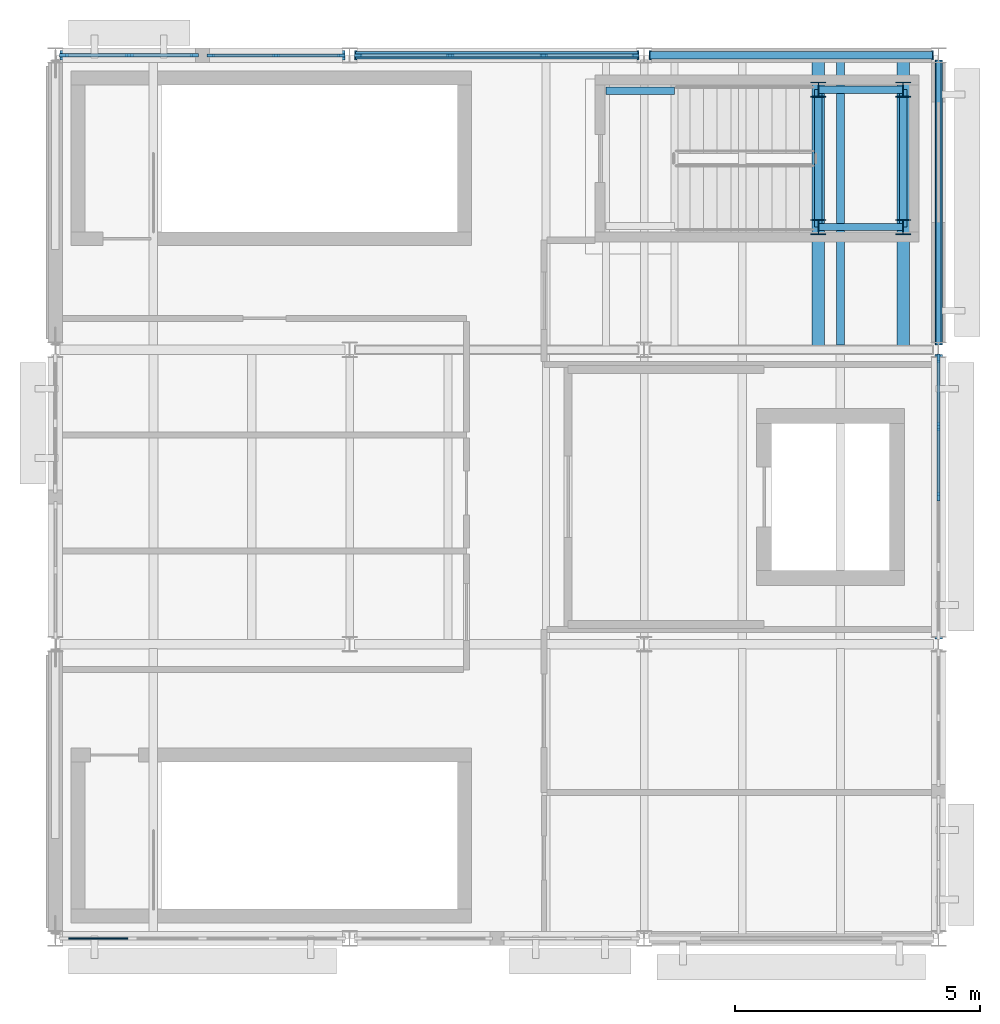
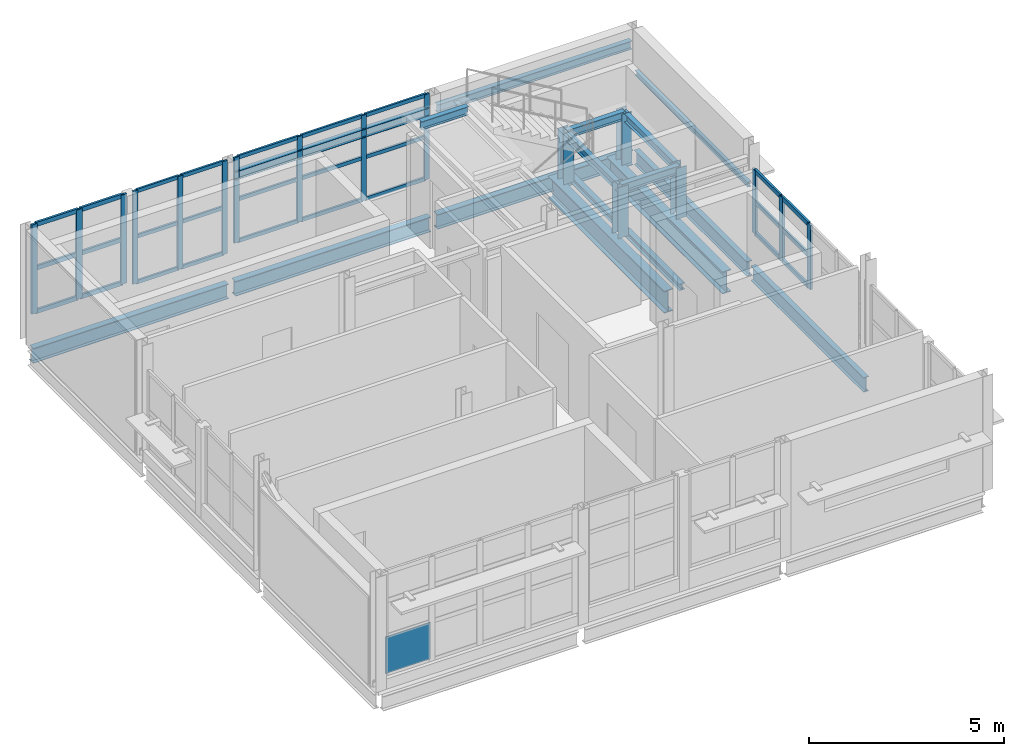
# One storey, part 3 of 8: 44 members, 16 beams, 1 plate, 5 elements without a shape of their own.
"""IFC4 building model written with IfcOpenShell, lengths in metres."""

import ifcopenshell
import ifcopenshell.guid

model = None  # the IFC model being written
_history = None  # IfcOwnerHistory: only IFC2X3 demands one
_inside = {}  # id of a spatial element -> (the spatial element, [elements in it])
_under = {}  # id of a project, library or spatial element -> (it, [spatial elements below it])
_declared = {}  # id of a project -> (the project, [libraries it declares])
_typed = {}  # id of a type object -> (the type object, [elements of that type])
_made_of = {}  # id of a material, layer set ... -> (it, [elements and type objects made of it])


def new_model(schema):
    """Start an empty IFC model of exactly this schema.

    Asked for "IFC4X3", IfcOpenShell would pick the latest addendum, in which some entities
    have other attributes; the version numbers below select the first issue.
    IFC2X3 requires an IfcOwnerHistory on every rooted entity: one is made here for all.
    """
    global model, _history
    if schema == "IFC4X3":
        model = ifcopenshell.file(schema_version=(4, 3, 0, 0))
    else:
        model = ifcopenshell.file(schema=schema)
    _inside.clear()
    _under.clear()
    _declared.clear()
    _typed.clear()
    _made_of.clear()
    _history = None
    if model.schema == "IFC2X3":
        org = make("IfcOrganization", Name="unknown")
        user = make(
            "IfcPersonAndOrganization",
            ThePerson=make("IfcPerson", FamilyName="unknown"),
            TheOrganization=org,
        )
        app = make(
            "IfcApplication",
            ApplicationDeveloper=org,
            Version="unknown",
            ApplicationFullName="unknown",
            ApplicationIdentifier="unknown",
        )
        _history = make(
            "IfcOwnerHistory",
            OwningUser=user,
            OwningApplication=app,
            ChangeAction="ADDED",
            CreationDate=0,
        )
    return model


def make(cls, **values):
    """One entity of the class cls with the attributes given. An attribute that is None is left unset."""
    return model.create_entity(
        cls, **{name: value for name, value in values.items() if value is not None}
    )


def rooted(cls, **values):
    """An entity with a GlobalId (a new one), such as an element, a storey or a relation."""
    return make(cls, GlobalId=ifcopenshell.guid.new(), OwnerHistory=_history, **values)


def si_unit(unit_type, name, prefix=None):
    """IfcSIUnit, for example si_unit("LENGTHUNIT", "METRE", prefix="MILLI")."""
    return make("IfcSIUnit", UnitType=unit_type, Prefix=prefix, Name=name)


def assignment(units):
    """IfcUnitAssignment: the units of a project."""
    return None if units is None else make("IfcUnitAssignment", Units=units)


def point(xyz):
    """IfcCartesianPoint."""
    return None if xyz is None else make("IfcCartesianPoint", Coordinates=xyz)


def direction(xyz):
    """IfcDirection."""
    return None if xyz is None else make("IfcDirection", DirectionRatios=xyz)


def frame(location, z_axis=None, x_axis=None):
    """IfcAxis2Placement3D, a coordinate frame: its origin and axes. An axis left out is left unset."""
    return make(
        "IfcAxis2Placement3D",
        Location=point(location),
        Axis=direction(z_axis),
        RefDirection=direction(x_axis),
    )


def frame_2d(location, x_axis=None):
    """IfcAxis2Placement2D, a coordinate frame in the plane: its origin and x axis."""
    return make(
        "IfcAxis2Placement2D", Location=point(location), RefDirection=direction(x_axis)
    )


def origin():
    """The frame at (0, 0, 0) with its axes left unset."""
    return frame((0.0, 0.0, 0.0))


def origin_2d():
    """The frame at (0, 0) in the plane with its x axis left unset."""
    return frame_2d((0.0, 0.0))


def place(relative_to, where):
    """IfcLocalPlacement: puts the frame where relative to a parent placement (None: the world)."""
    return make(
        "IfcLocalPlacement", PlacementRelTo=relative_to, RelativePlacement=where
    )


def context(
    kind, dimensions, precision=None, world=None, true_north=None, identifier=None
):
    """IfcGeometricRepresentationContext, for example the 3D "Model" context."""
    return make(
        "IfcGeometricRepresentationContext",
        ContextIdentifier=identifier,
        ContextType=kind,
        CoordinateSpaceDimension=dimensions,
        Precision=precision,
        WorldCoordinateSystem=world,
        TrueNorth=true_north,
    )


def subcontext(parent, identifier, kind, view, scale=None):
    """IfcGeometricRepresentationSubContext, for example "Body" below "Model"."""
    return make(
        "IfcGeometricRepresentationSubContext",
        ContextIdentifier=identifier,
        ContextType=kind,
        ParentContext=parent,
        TargetScale=scale,
        TargetView=view,
    )


def project(units=None, contexts=None):
    """IfcProject with its units and contexts."""
    return rooted(
        "IfcProject",
        Name="project",
        RepresentationContexts=contexts,
        UnitsInContext=assignment(units),
    )


def spatial(cls, under=None, at=None, **own):
    """A site, building, storey or space (cls), placed at a placement, below another one or the project."""
    s = rooted(cls, ObjectPlacement=at, **own)
    if under is not None:
        _under.setdefault(under.id(), (under, []))[1].append(s)
    return s


def profile(cls, at=None, kind="AREA", **sizes):
    """A parametric profile (cls). Its sizes go by their IFC names, for example OverallWidth=200.0."""
    return make(cls, ProfileType=kind, Position=at, **sizes)


def rectangle(**sizes):
    """IfcRectangleProfileDef."""
    return profile("IfcRectangleProfileDef", **sizes)


def i_section(**sizes):
    """IfcIShapeProfileDef."""
    return profile("IfcIShapeProfileDef", **sizes)


def extrude(swept, where, along, depth):
    """IfcExtrudedAreaSolid: the profile swept, set in the frame where, extruded along a direction by depth."""
    return make(
        "IfcExtrudedAreaSolid",
        SweptArea=swept,
        Position=where,
        ExtrudedDirection=direction(along),
        Depth=depth,
    )


def shape(context_of_items, identifier, shape_type, items):
    """IfcShapeRepresentation: the items that make up one representation, for example the "Body"."""
    return make(
        "IfcShapeRepresentation",
        ContextOfItems=context_of_items,
        RepresentationIdentifier=identifier,
        RepresentationType=shape_type,
        Items=items,
    )


def material(Name=None, Category=None):
    """IfcMaterial."""
    return make("IfcMaterial", Name=Name, Category=Category)


def layer(
    of_material, thickness, ventilated=None, Name=None, Category=None, Priority=None
):
    """IfcMaterialLayer: one layer of a wall or slab, of a material (None: an air gap)."""
    return make(
        "IfcMaterialLayer",
        Material=of_material,
        LayerThickness=thickness,
        IsVentilated=ventilated,
        Name=Name,
        Category=Category,
        Priority=Priority,
    )


def layer_set(layers, Name=None):
    """IfcMaterialLayerSet."""
    return make("IfcMaterialLayerSet", MaterialLayers=layers, LayerSetName=Name)


def material_profile(
    of_material, cross_section, Name=None, Category=None, Priority=None
):
    """IfcMaterialProfile: a cross section and its material."""
    return make(
        "IfcMaterialProfile",
        Name=Name,
        Material=of_material,
        Profile=cross_section,
        Priority=Priority,
        Category=Category,
    )


def profile_set(profiles, Name=None, composite=None):
    """IfcMaterialProfileSet."""
    return make(
        "IfcMaterialProfileSet",
        Name=Name,
        MaterialProfiles=profiles,
        CompositeProfile=composite,
    )


def made_of(thing, what):
    """Note that an element or type object is made of a material, layer set ...; save() writes the relation."""
    if what is not None:
        _made_of.setdefault(what.id(), (what, []))[1].append(thing)
    return thing


def type_object(cls, material=None, **own):
    """A type object (cls), such as IfcWallType, which elements share."""
    return made_of(rooted(cls, **own), material)


def element(
    cls,
    number,
    at=None,
    inside=None,
    cuts=None,
    type_object=None,
    material=None,
    context=None,
    identifier="Body",
    shape_type=None,
    held_by="IfcProductDefinitionShape",
    body=None,
    shapes=None,
    **own,
):
    """One element of the class cls, such as IfcWall. Its Tag is "e" and its number.

    at: its placement. inside: the storey or other place that contains it. cuts: it is an
    opening in that element (IfcRelVoidsElement). A single representation is given by context,
    identifier, shape_type and body (its items); several are given by shapes. held_by: the class
    of the entity that holds the representations. save() writes the other relations.
    """
    e = rooted(cls, Tag="e%d" % number, ObjectPlacement=at, **own)
    if body is not None:
        shapes = [shape(context, identifier, shape_type, body)]
    if shapes is not None:
        e.Representation = make(held_by, Representations=shapes)
    if inside is not None:
        _inside.setdefault(inside.id(), (inside, []))[1].append(e)
    if cuts is not None:
        rooted(
            "IfcRelVoidsElement", RelatingBuildingElement=cuts, RelatedOpeningElement=e
        )
    if type_object is not None:
        _typed.setdefault(type_object.id(), (type_object, []))[1].append(e)
    return made_of(e, material)


def aggregate(whole, parts):
    """IfcRelAggregates: a whole, such as a stair, and the parts it consists of."""
    return rooted("IfcRelAggregates", RelatingObject=whole, RelatedObjects=parts)


def save(model, path):
    """Write the relations noted so far, then the file.

    IfcRelAggregates (storeys below a building ...), IfcRelContainedInSpatialStructure (elements
    in a storey), IfcRelDefinesByType, IfcRelAssociatesMaterial and IfcRelDeclares: one each for
    every whole, place, type object, material and project.
    """
    for whole, parts in _under.values():
        aggregate(whole, parts)
    for where, things in _inside.values():
        rooted(
            "IfcRelContainedInSpatialStructure",
            RelatedElements=things,
            RelatingStructure=where,
        )
    for kind, things in _typed.values():
        rooted("IfcRelDefinesByType", RelatedObjects=things, RelatingType=kind)
    for what, things in _made_of.values():
        rooted("IfcRelAssociatesMaterial", RelatedObjects=things, RelatingMaterial=what)
    for by, libraries in _declared.values():
        rooted("IfcRelDeclares", RelatingContext=by, RelatedDefinitions=libraries)
    model.write(path)


model = new_model("IFC4")

# Units and contexts
model_context = context("Model", 3, precision=1e-05, world=origin(), true_north=direction((0.0, 1.0)))
body_context = subcontext(model_context, "Body", "Model", "MODEL_VIEW")
ifc_project = project(units=[si_unit("LENGTHUNIT", "METRE"), si_unit("AREAUNIT", "SQUARE_METRE"), si_unit("VOLUMEUNIT", "CUBIC_METRE"), si_unit("PLANEANGLEUNIT", "RADIAN"), si_unit("MASSUNIT", "GRAM", prefix="KILO")], contexts=[model_context])

# Site, building, storey
site_placement = place(None, origin())
site = spatial("IfcSite", under=ifc_project, at=site_placement, CompositionType="ELEMENT")
building_placement = place(site_placement, origin())
building = spatial("IfcBuilding", under=site, at=building_placement, Name="Siltcreek Boulevard Central Fire Station", CompositionType="ELEMENT")
storey_placement = place(building_placement, frame((0.0, 0.0, 21.60009765625)))
storey = spatial("IfcBuildingStorey", under=building, at=storey_placement, Name="L06", CompositionType="ELEMENT", Elevation=21.60009765625)

# Beams
ifc_material_1 = material(Name="Structural steel ASTM A992 Gr50", Category="steel")
ifc_material_profile_1 = material_profile(ifc_material_1, i_section(OverallWidth=0.154052734375, OverallDepth=0.458984375, WebThickness=0.009033203125, FlangeThickness=0.015380859375, at=origin_2d()), Name="W460X68")
ifc_profile_set_1 = profile_set([ifc_material_profile_1], Name="Structural steel ASTM A992 Gr50")
beam_type_1 = type_object("IfcBeamType", Name="BM_W460X68", PredefinedType="BEAM", material=ifc_profile_set_1)
for number, where, z_axis, x_axis, name in (
    (1, (60.0, 100.300048828125, -0.469482421875), (0.0, 1.0, 0.0), (-1.0, 0.0, 0.0), "L06 primary steel girder GY-0683"),
    (2, (60.0, 106.300048828125, -0.469482421875), (0.0, 1.0, 0.0), (-1.0, 0.0, 0.0), "L06 primary steel girder GY-0684"),
):
    element("IfcBeam", number, at=place(storey_placement, frame(where, z_axis=z_axis, x_axis=x_axis)), inside=storey, type_object=beam_type_1, Name=name, PredefinedType="BEAM", context=body_context, shape_type="SweptSolid", body=[
        extrude(i_section(OverallWidth=0.154052734375, OverallDepth=0.458984375, WebThickness=0.009033203125, FlangeThickness=0.015380859375, at=origin_2d()), origin(), (0.0, 0.0, 1.0), 5.800048828125),
    ])
ifc_material_profile_2 = material_profile(ifc_material_1, i_section(OverallWidth=0.19189453125, OverallDepth=0.462890625, WebThickness=0.010498046875, FlangeThickness=0.017578125, at=origin_2d()), Name="W460X89")
ifc_profile_set_2 = profile_set([ifc_material_profile_2], Name="Structural steel ASTM A992 Gr50")
beam_type_2 = type_object("IfcBeamType", Name="BM_W460X89", PredefinedType="BEAM", material=ifc_profile_set_2)
for number, where, z_axis, x_axis, name in (
    (3, (42.10009765625, 112.199951171875, -0.4716796875), (1.0, 0.0, 0.0), (0.0, 1.0, 0.0), "L06 primary steel girder GX-0672"),
    (4, (48.10009765625, 112.199951171875, -0.4716796875), (1.0, 0.0, 0.0), (0.0, 1.0, 0.0), "L06 primary steel girder GX-0673"),
    (5, (54.10009765625, 112.199951171875, -0.4716796875), (1.0, 0.0, 0.0), (0.0, 1.0, 0.0), "L06 primary steel girder GX-0674"),
):
    element("IfcBeam", number, at=place(storey_placement, frame(where, z_axis=z_axis, x_axis=x_axis)), inside=storey, type_object=beam_type_2, Name=name, PredefinedType="BEAM", context=body_context, shape_type="SweptSolid", body=[
        extrude(i_section(OverallWidth=0.19189453125, OverallDepth=0.462890625, WebThickness=0.010498046875, FlangeThickness=0.017578125, at=origin_2d()), origin(), (0.0, 0.0, 1.0), 5.7998046875),
    ])
ifc_material_profile_3 = material_profile(ifc_material_1, i_section(OverallWidth=0.256103515625, OverallDepth=0.693115234375, WebThickness=0.014404296875, FlangeThickness=0.023681640625, at=origin_2d()), Name="W690X170")
ifc_profile_set_3 = profile_set([ifc_material_profile_3], Name="Structural steel ASTM A992 Gr50")
beam_type_3 = type_object("IfcBeamType", Name="BM_W690X170", PredefinedType="BEAM", material=ifc_profile_set_3)
for number, where, z_axis, x_axis, name in (
    (6, (57.550048828125, 106.219970703125, -0.586669921875), (0.0, 1.0, 0.0), (-1.0, 0.0, 0.0), "L06 ST-V3-RF under-slab transfer girder TRW"),
    (7, (59.280029296875, 106.219970703125, -0.586669921875), (0.0, 1.0, 0.0), (-1.0, 0.0, 0.0), "L06 ST-V3-RF under-slab transfer girder TRE"),
):
    element("IfcBeam", number, at=place(storey_placement, frame(where, z_axis=z_axis, x_axis=x_axis)), inside=storey, type_object=beam_type_3, Name=name, PredefinedType="BEAM", context=body_context, shape_type="SweptSolid", body=[
        extrude(i_section(OverallWidth=0.256103515625, OverallDepth=0.693115234375, WebThickness=0.014404296875, FlangeThickness=0.023681640625, at=origin_2d()), origin(), (0.0, 0.0, 1.0), 5.9599609375),
    ])

# Members
ifc_material_profile_4 = material_profile(ifc_material_1, i_section(OverallWidth=0.304931640625, OverallDepth=0.30810546875, WebThickness=0.010009765625, FlangeThickness=0.015380859375, at=origin_2d()), Name="W310X97")
ifc_profile_set_4 = profile_set([ifc_material_profile_4], Name="Structural steel ASTM A992 Gr50")
member_type_1 = type_object("IfcMemberType", Name="CH_W310X97", PredefinedType="CHORD", material=ifc_profile_set_4)
for number, where, z_axis, x_axis, name in (
    (8, (57.550048828125, 108.699951171875, 0.0), (0.0, 0.0, 1.0), (1.0, 0.0, 0.0), "L06 ST-V3-RF internal landing post SW"),
    (9, (57.550048828125, 111.5, 0.0), (0.0, 0.0, 1.0), (1.0, 0.0, 0.0), "L06 ST-V3-RF internal landing post NW"),
    (10, (59.280029296875, 108.699951171875, 0.0), (0.0, 0.0, 1.0), (1.0, 0.0, 0.0), "L06 ST-V3-RF internal landing post SE"),
    (11, (59.280029296875, 111.5, 0.0), (0.0, 0.0, 1.0), (1.0, 0.0, 0.0), "L06 ST-V3-RF internal landing post NE"),
):
    element("IfcMember", number, at=place(storey_placement, frame(where, z_axis=z_axis, x_axis=x_axis)), inside=storey, type_object=member_type_1, Name=name, PredefinedType="CHORD", context=body_context, shape_type="SweptSolid", body=[
        extrude(i_section(OverallWidth=0.304931640625, OverallDepth=0.30810546875, WebThickness=0.010009765625, FlangeThickness=0.015380859375, at=origin_2d()), origin(), (0.0, 0.0, 1.0), 1.599853515625),
    ])

# Curtain wall, members
ifc_material_2 = material(Name="Anodized aluminum and low-E insulated glazing", Category="aluminium")
curtain_wall_type_1 = type_object("IfcCurtainWallType", Name="CW_SYS_22", PredefinedType="USERDEFINED", material=ifc_material_2)
curtain_wall_1_placement = place(storey_placement, origin())
curtain_wall_1 = element("IfcCurtainWall", 12, at=curtain_wall_1_placement, inside=storey, type_object=curtain_wall_type_1, Name="L06 V3 unitised curtain wall CW-081", ObjectType="CURTAIN WALL", PredefinedType="USERDEFINED")
ifc_material_3 = material(Name="Anodized 6063-T6 aluminum framing", Category="aluminium")
ifc_material_profile_5 = material_profile(ifc_material_3, rectangle(XDim=0.06005859375, YDim=0.14990234375, at=origin_2d()), Name="MULL60X150")
ifc_profile_set_5 = profile_set([ifc_material_profile_5], Name="Anodized 6063-T6 aluminum framing")
member_type_2 = type_object("IfcMemberType", Name="CWM_60X150", PredefinedType="MULLION", material=ifc_profile_set_5)
member_1_placement = place(storey_placement, frame((47.824951171875, 112.199951171875, 0.679931640625), z_axis=(0.0, 0.0, 1.0), x_axis=(0.0, -1.0, 0.0)))
member_1 = element("IfcMember", 13, at=member_1_placement, type_object=member_type_2, Name="CW-081 mullion 1", PredefinedType="MULLION", context=body_context, shape_type="SweptSolid", body=[
    extrude(rectangle(XDim=0.06005859375, YDim=0.14990234375, at=origin_2d()), origin(), (0.0, 0.0, 1.0), 2.919921875),
])
member_2_placement = place(storey_placement, frame((46.49755859375, 112.199951171875, 0.679931640625), z_axis=(0.0, 0.0, 1.0), x_axis=(0.0, -1.0, 0.0)))
member_2 = element("IfcMember", 14, at=member_2_placement, type_object=member_type_2, Name="CW-081 mullion 2", PredefinedType="MULLION", context=body_context, shape_type="SweptSolid", body=[
    extrude(rectangle(XDim=0.06005859375, YDim=0.14990234375, at=origin_2d()), origin(), (0.0, 0.0, 1.0), 2.919921875),
])
member_3_placement = place(storey_placement, frame((45.169921875, 112.199951171875, 0.679931640625), z_axis=(0.0, 0.0, 1.0), x_axis=(0.0, -1.0, 0.0)))
member_3 = element("IfcMember", 15, at=member_3_placement, type_object=member_type_2, Name="CW-081 mullion 3", PredefinedType="MULLION", context=body_context, shape_type="SweptSolid", body=[
    extrude(rectangle(XDim=0.06005859375, YDim=0.14990234375, at=origin_2d()), origin(), (0.0, 0.0, 1.0), 2.919921875),
])

curtain_wall_type_2 = type_object("IfcCurtainWallType", Name="CW_SYS_24", PredefinedType="USERDEFINED", material=ifc_material_2)
curtain_wall_2_placement = place(storey_placement, origin())
curtain_wall_2 = element("IfcCurtainWall", 16, at=curtain_wall_2_placement, inside=storey, type_object=curtain_wall_type_2, Name="L06 V3 unitised curtain wall CW-083", ObjectType="CURTAIN WALL", PredefinedType="USERDEFINED")
member_4_placement = place(storey_placement, frame((53.824951171875, 112.199951171875, 0.919921875), z_axis=(0.0, 0.0, 1.0), x_axis=(0.0, -1.0, 0.0)))
member_4 = element("IfcMember", 17, at=member_4_placement, type_object=member_type_2, Name="CW-083 mullion 1", PredefinedType="MULLION", context=body_context, shape_type="SweptSolid", body=[
    extrude(rectangle(XDim=0.06005859375, YDim=0.14990234375, at=origin_2d()), origin(), (0.0, 0.0, 1.0), 2.679931640625),
])
member_5_placement = place(storey_placement, frame((51.95166015625, 112.199951171875, 0.919921875), z_axis=(0.0, 0.0, 1.0), x_axis=(0.0, -1.0, 0.0)))
member_5 = element("IfcMember", 18, at=member_5_placement, type_object=member_type_2, Name="CW-083 mullion 2", PredefinedType="MULLION", context=body_context, shape_type="SweptSolid", body=[
    extrude(rectangle(XDim=0.06005859375, YDim=0.14990234375, at=origin_2d()), origin(), (0.0, 0.0, 1.0), 2.679931640625),
])
member_6_placement = place(storey_placement, frame((50.04833984375, 112.199951171875, 0.919921875), z_axis=(0.0, 0.0, 1.0), x_axis=(0.0, -1.0, 0.0)))
member_6 = element("IfcMember", 19, at=member_6_placement, type_object=member_type_2, Name="CW-083 mullion 3", PredefinedType="MULLION", context=body_context, shape_type="SweptSolid", body=[
    extrude(rectangle(XDim=0.06005859375, YDim=0.14990234375, at=origin_2d()), origin(), (0.0, 0.0, 1.0), 2.679931640625),
])
member_7_placement = place(storey_placement, frame((48.175048828125, 112.199951171875, 0.919921875), z_axis=(0.0, 0.0, 1.0), x_axis=(0.0, -1.0, 0.0)))
member_7 = element("IfcMember", 20, at=member_7_placement, type_object=member_type_2, Name="CW-083 mullion 4", PredefinedType="MULLION", context=body_context, shape_type="SweptSolid", body=[
    extrude(rectangle(XDim=0.06005859375, YDim=0.14990234375, at=origin_2d()), origin(), (0.0, 0.0, 1.0), 2.679931640625),
])

curtain_wall_type_3 = type_object("IfcCurtainWallType", Name="CW_SYS_23", PredefinedType="USERDEFINED", material=ifc_material_2)
curtain_wall_3_placement = place(storey_placement, origin())
curtain_wall_3 = element("IfcCurtainWall", 21, at=curtain_wall_3_placement, inside=storey, type_object=curtain_wall_type_3, Name="L06 V3 unitised curtain wall CW-082", ObjectType="CURTAIN WALL", PredefinedType="USERDEFINED")
ifc_material_profile_6 = material_profile(ifc_material_3, rectangle(XDim=0.06494140625, YDim=0.175048828125, at=origin_2d()), Name="MULL65X175")
ifc_profile_set_6 = profile_set([ifc_material_profile_6], Name="Anodized 6063-T6 aluminum framing")
member_type_3 = type_object("IfcMemberType", Name="CWM_65X175", PredefinedType="MULLION", material=ifc_profile_set_6)
member_8_placement = place(storey_placement, frame((44.827392578125, 112.199951171875, 0.7998046875), z_axis=(0.0, 0.0, 1.0), x_axis=(0.0, -1.0, 0.0)))
member_8 = element("IfcMember", 22, at=member_8_placement, type_object=member_type_3, Name="CW-082 mullion 1", PredefinedType="MULLION", context=body_context, shape_type="SweptSolid", body=[
    extrude(rectangle(XDim=0.06494140625, YDim=0.175048828125, at=origin_2d()), origin(), (0.0, 0.0, 1.0), 2.800048828125),
])
member_9_placement = place(storey_placement, frame((43.50244140625, 112.199951171875, 0.7998046875), z_axis=(0.0, 0.0, 1.0), x_axis=(0.0, -1.0, 0.0)))
member_9 = element("IfcMember", 23, at=member_9_placement, type_object=member_type_3, Name="CW-082 mullion 2", PredefinedType="MULLION", context=body_context, shape_type="SweptSolid", body=[
    extrude(rectangle(XDim=0.06494140625, YDim=0.175048828125, at=origin_2d()), origin(), (0.0, 0.0, 1.0), 2.800048828125),
])
member_10_placement = place(storey_placement, frame((42.177490234375, 112.199951171875, 0.7998046875), z_axis=(0.0, 0.0, 1.0), x_axis=(0.0, -1.0, 0.0)))
member_10 = element("IfcMember", 24, at=member_10_placement, type_object=member_type_3, Name="CW-082 mullion 3", PredefinedType="MULLION", context=body_context, shape_type="SweptSolid", body=[
    extrude(rectangle(XDim=0.06494140625, YDim=0.175048828125, at=origin_2d()), origin(), (0.0, 0.0, 1.0), 2.800048828125),
])

curtain_wall_type_4 = type_object("IfcCurtainWallType", Name="CW_SYS_29", PredefinedType="USERDEFINED", material=ifc_material_2)
curtain_wall_4_placement = place(storey_placement, origin())
curtain_wall_4 = element("IfcCurtainWall", 25, at=curtain_wall_4_placement, inside=storey, type_object=curtain_wall_type_4, Name="L06 V3 unitised curtain wall CW-088", ObjectType="CURTAIN WALL", PredefinedType="USERDEFINED")
member_11_placement = place(storey_placement, frame((60.0, 103.199951171875, 0.7998046875), z_axis=(0.0, 0.0, 1.0), x_axis=(-1.0, 0.0, 0.0)))
member_11 = element("IfcMember", 26, at=member_11_placement, type_object=member_type_3, Name="CW-088 mullion 3", PredefinedType="MULLION", context=body_context, shape_type="SweptSolid", body=[
    extrude(rectangle(XDim=0.06494140625, YDim=0.175048828125, at=origin_2d()), origin(), (0.0, 0.0, 1.0), 2.012939453125),
])
member_12_placement = place(storey_placement, frame((60.0, 104.62744140625, 0.7998046875), z_axis=(0.0, 0.0, 1.0), x_axis=(-1.0, 0.0, 0.0)))
member_12 = element("IfcMember", 27, at=member_12_placement, type_object=member_type_3, Name="CW-088 mullion 4", PredefinedType="MULLION", context=body_context, shape_type="SweptSolid", body=[
    extrude(rectangle(XDim=0.06494140625, YDim=0.175048828125, at=origin_2d()), origin(), (0.0, 0.0, 1.0), 2.012939453125),
])
member_13_placement = place(storey_placement, frame((60.0, 106.0224609375, 0.7998046875), z_axis=(0.0, 0.0, 1.0), x_axis=(-1.0, 0.0, 0.0)))
member_13 = element("IfcMember", 28, at=member_13_placement, type_object=member_type_3, Name="CW-088 mullion 5", PredefinedType="MULLION", context=body_context, shape_type="SweptSolid", body=[
    extrude(rectangle(XDim=0.06494140625, YDim=0.175048828125, at=origin_2d()), origin(), (0.0, 0.0, 1.0), 2.012939453125),
])

# Member
ifc_material_profile_7 = material_profile(ifc_material_3, rectangle(XDim=0.06005859375, YDim=0.114990234375, at=origin_2d()), Name="TRAN60X115")
ifc_profile_set_7 = profile_set([ifc_material_profile_7], Name="Anodized 6063-T6 aluminum framing")
member_type_4 = type_object("IfcMemberType", Name="CWT_60X115", PredefinedType="USERDEFINED", material=ifc_profile_set_7)
member_14_placement = place(storey_placement, frame((47.794921875, 112.199951171875, 0.7099609375), z_axis=(-1.0, 0.0, 0.0), x_axis=(0.0, -1.0, 0.0)))
member_14 = element("IfcMember", 29, at=member_14_placement, type_object=member_type_4, Name="CW-081 transom 1.1", ObjectType="TRANSOM", PredefinedType="USERDEFINED", context=body_context, shape_type="SweptSolid", body=[
    extrude(rectangle(XDim=0.06005859375, YDim=0.114990234375, at=origin_2d()), origin(), (0.0, 0.0, 1.0), 1.267333984375),
])

member_15_placement = place(storey_placement, frame((47.794921875, 112.199951171875, 2.139892578125), z_axis=(-1.0, 0.0, 0.0), x_axis=(0.0, -1.0, 0.0)))
member_15 = element("IfcMember", 30, at=member_15_placement, type_object=member_type_4, Name="CW-081 transom 1.2", ObjectType="TRANSOM", PredefinedType="USERDEFINED", context=body_context, shape_type="SweptSolid", body=[
    extrude(rectangle(XDim=0.06005859375, YDim=0.114990234375, at=origin_2d()), origin(), (0.0, 0.0, 1.0), 1.267333984375),
])

member_16_placement = place(storey_placement, frame((47.794921875, 112.199951171875, 3.56982421875), z_axis=(-1.0, 0.0, 0.0), x_axis=(0.0, -1.0, 0.0)))
member_16 = element("IfcMember", 31, at=member_16_placement, type_object=member_type_4, Name="CW-081 transom 1.3", ObjectType="TRANSOM", PredefinedType="USERDEFINED", context=body_context, shape_type="SweptSolid", body=[
    extrude(rectangle(XDim=0.06005859375, YDim=0.114990234375, at=origin_2d()), origin(), (0.0, 0.0, 1.0), 1.267333984375),
])

member_17_placement = place(storey_placement, frame((46.467529296875, 112.199951171875, 0.7099609375), z_axis=(-1.0, 0.0, 0.0), x_axis=(0.0, -1.0, 0.0)))
member_17 = element("IfcMember", 32, at=member_17_placement, type_object=member_type_4, Name="CW-081 transom 2.1", ObjectType="TRANSOM", PredefinedType="USERDEFINED", context=body_context, shape_type="SweptSolid", body=[
    extrude(rectangle(XDim=0.06005859375, YDim=0.114990234375, at=origin_2d()), origin(), (0.0, 0.0, 1.0), 1.267578125),
])

member_18_placement = place(storey_placement, frame((46.467529296875, 112.199951171875, 2.139892578125), z_axis=(-1.0, 0.0, 0.0), x_axis=(0.0, -1.0, 0.0)))
member_18 = element("IfcMember", 33, at=member_18_placement, type_object=member_type_4, Name="CW-081 transom 2.2", ObjectType="TRANSOM", PredefinedType="USERDEFINED", context=body_context, shape_type="SweptSolid", body=[
    extrude(rectangle(XDim=0.06005859375, YDim=0.114990234375, at=origin_2d()), origin(), (0.0, 0.0, 1.0), 1.267578125),
])

member_19_placement = place(storey_placement, frame((46.467529296875, 112.199951171875, 3.56982421875), z_axis=(-1.0, 0.0, 0.0), x_axis=(0.0, -1.0, 0.0)))
member_19 = element("IfcMember", 34, at=member_19_placement, type_object=member_type_4, Name="CW-081 transom 2.3", ObjectType="TRANSOM", PredefinedType="USERDEFINED", context=body_context, shape_type="SweptSolid", body=[
    extrude(rectangle(XDim=0.06005859375, YDim=0.114990234375, at=origin_2d()), origin(), (0.0, 0.0, 1.0), 1.267578125),
])

aggregate(curtain_wall_1, [member_1, member_2, member_3, member_14, member_15, member_16, member_17, member_18, member_19])

member_20_placement = place(storey_placement, frame((53.794921875, 112.199951171875, 0.949951171875), z_axis=(-1.0, 0.0, 0.0), x_axis=(0.0, -1.0, 0.0)))
member_20 = element("IfcMember", 35, at=member_20_placement, type_object=member_type_4, Name="CW-083 transom 1.1", ObjectType="TRANSOM", PredefinedType="USERDEFINED", context=body_context, shape_type="SweptSolid", body=[
    extrude(rectangle(XDim=0.06005859375, YDim=0.114990234375, at=origin_2d()), origin(), (0.0, 0.0, 1.0), 1.813232421875),
])

member_21_placement = place(storey_placement, frame((53.794921875, 112.199951171875, 2.260009765625), z_axis=(-1.0, 0.0, 0.0), x_axis=(0.0, -1.0, 0.0)))
member_21 = element("IfcMember", 36, at=member_21_placement, type_object=member_type_4, Name="CW-083 transom 1.2", ObjectType="TRANSOM", PredefinedType="USERDEFINED", context=body_context, shape_type="SweptSolid", body=[
    extrude(rectangle(XDim=0.06005859375, YDim=0.114990234375, at=origin_2d()), origin(), (0.0, 0.0, 1.0), 1.813232421875),
])

member_22_placement = place(storey_placement, frame((53.794921875, 112.199951171875, 3.56982421875), z_axis=(-1.0, 0.0, 0.0), x_axis=(0.0, -1.0, 0.0)))
member_22 = element("IfcMember", 37, at=member_22_placement, type_object=member_type_4, Name="CW-083 transom 1.3", ObjectType="TRANSOM", PredefinedType="USERDEFINED", context=body_context, shape_type="SweptSolid", body=[
    extrude(rectangle(XDim=0.06005859375, YDim=0.114990234375, at=origin_2d()), origin(), (0.0, 0.0, 1.0), 1.813232421875),
])

member_23_placement = place(storey_placement, frame((51.921630859375, 112.199951171875, 0.949951171875), z_axis=(-1.0, 0.0, 0.0), x_axis=(0.0, -1.0, 0.0)))
member_23 = element("IfcMember", 38, at=member_23_placement, type_object=member_type_4, Name="CW-083 transom 2.1", ObjectType="TRANSOM", PredefinedType="USERDEFINED", context=body_context, shape_type="SweptSolid", body=[
    extrude(rectangle(XDim=0.06005859375, YDim=0.114990234375, at=origin_2d()), origin(), (0.0, 0.0, 1.0), 1.84326171875),
])

member_24_placement = place(storey_placement, frame((51.921630859375, 112.199951171875, 2.260009765625), z_axis=(-1.0, 0.0, 0.0), x_axis=(0.0, -1.0, 0.0)))
member_24 = element("IfcMember", 39, at=member_24_placement, type_object=member_type_4, Name="CW-083 transom 2.2", ObjectType="TRANSOM", PredefinedType="USERDEFINED", context=body_context, shape_type="SweptSolid", body=[
    extrude(rectangle(XDim=0.06005859375, YDim=0.114990234375, at=origin_2d()), origin(), (0.0, 0.0, 1.0), 1.84326171875),
])

member_25_placement = place(storey_placement, frame((51.921630859375, 112.199951171875, 3.56982421875), z_axis=(-1.0, 0.0, 0.0), x_axis=(0.0, -1.0, 0.0)))
member_25 = element("IfcMember", 40, at=member_25_placement, type_object=member_type_4, Name="CW-083 transom 2.3", ObjectType="TRANSOM", PredefinedType="USERDEFINED", context=body_context, shape_type="SweptSolid", body=[
    extrude(rectangle(XDim=0.06005859375, YDim=0.114990234375, at=origin_2d()), origin(), (0.0, 0.0, 1.0), 1.84326171875),
])

member_26_placement = place(storey_placement, frame((50.018310546875, 112.199951171875, 0.949951171875), z_axis=(-1.0, 0.0, 0.0), x_axis=(0.0, -1.0, 0.0)))
member_26 = element("IfcMember", 41, at=member_26_placement, type_object=member_type_4, Name="CW-083 transom 3.1", ObjectType="TRANSOM", PredefinedType="USERDEFINED", context=body_context, shape_type="SweptSolid", body=[
    extrude(rectangle(XDim=0.06005859375, YDim=0.114990234375, at=origin_2d()), origin(), (0.0, 0.0, 1.0), 1.813232421875),
])

member_27_placement = place(storey_placement, frame((50.018310546875, 112.199951171875, 2.260009765625), z_axis=(-1.0, 0.0, 0.0), x_axis=(0.0, -1.0, 0.0)))
member_27 = element("IfcMember", 42, at=member_27_placement, type_object=member_type_4, Name="CW-083 transom 3.2", ObjectType="TRANSOM", PredefinedType="USERDEFINED", context=body_context, shape_type="SweptSolid", body=[
    extrude(rectangle(XDim=0.06005859375, YDim=0.114990234375, at=origin_2d()), origin(), (0.0, 0.0, 1.0), 1.813232421875),
])

member_28_placement = place(storey_placement, frame((50.018310546875, 112.199951171875, 3.56982421875), z_axis=(-1.0, 0.0, 0.0), x_axis=(0.0, -1.0, 0.0)))
member_28 = element("IfcMember", 43, at=member_28_placement, type_object=member_type_4, Name="CW-083 transom 3.3", ObjectType="TRANSOM", PredefinedType="USERDEFINED", context=body_context, shape_type="SweptSolid", body=[
    extrude(rectangle(XDim=0.06005859375, YDim=0.114990234375, at=origin_2d()), origin(), (0.0, 0.0, 1.0), 1.813232421875),
])

aggregate(curtain_wall_2, [member_4, member_5, member_6, member_7, member_20, member_21, member_22, member_23, member_24, member_25, member_26, member_27, member_28])

ifc_material_profile_8 = material_profile(ifc_material_3, rectangle(XDim=0.06494140625, YDim=0.135009765625, at=origin_2d()), Name="TRAN65X135")
ifc_profile_set_8 = profile_set([ifc_material_profile_8], Name="Anodized 6063-T6 aluminum framing")
member_type_5 = type_object("IfcMemberType", Name="CWT_65X135", PredefinedType="USERDEFINED", material=ifc_profile_set_8)
member_29_placement = place(storey_placement, frame((44.794921875, 112.199951171875, 0.83251953125), z_axis=(-1.0, 0.0, 0.0), x_axis=(0.0, -1.0, 0.0)))
member_29 = element("IfcMember", 44, at=member_29_placement, type_object=member_type_5, Name="CW-082 transom 1.1", ObjectType="TRANSOM", PredefinedType="USERDEFINED", context=body_context, shape_type="SweptSolid", body=[
    extrude(rectangle(XDim=0.06494140625, YDim=0.135009765625, at=origin_2d()), origin(), (0.0, 0.0, 1.0), 1.260009765625),
])

member_30_placement = place(storey_placement, frame((44.794921875, 112.199951171875, 2.199951171875), z_axis=(-1.0, 0.0, 0.0), x_axis=(0.0, -1.0, 0.0)))
member_30 = element("IfcMember", 45, at=member_30_placement, type_object=member_type_5, Name="CW-082 transom 1.2", ObjectType="TRANSOM", PredefinedType="USERDEFINED", context=body_context, shape_type="SweptSolid", body=[
    extrude(rectangle(XDim=0.06494140625, YDim=0.135009765625, at=origin_2d()), origin(), (0.0, 0.0, 1.0), 1.260009765625),
])

member_31_placement = place(storey_placement, frame((44.794921875, 112.199951171875, 3.5673828125), z_axis=(-1.0, 0.0, 0.0), x_axis=(0.0, -1.0, 0.0)))
member_31 = element("IfcMember", 46, at=member_31_placement, type_object=member_type_5, Name="CW-082 transom 1.3", ObjectType="TRANSOM", PredefinedType="USERDEFINED", context=body_context, shape_type="SweptSolid", body=[
    extrude(rectangle(XDim=0.06494140625, YDim=0.135009765625, at=origin_2d()), origin(), (0.0, 0.0, 1.0), 1.260009765625),
])

member_32_placement = place(storey_placement, frame((43.469970703125, 112.199951171875, 0.83251953125), z_axis=(-1.0, 0.0, 0.0), x_axis=(0.0, -1.0, 0.0)))
member_32 = element("IfcMember", 47, at=member_32_placement, type_object=member_type_5, Name="CW-082 transom 2.1", ObjectType="TRANSOM", PredefinedType="USERDEFINED", context=body_context, shape_type="SweptSolid", body=[
    extrude(rectangle(XDim=0.06494140625, YDim=0.135009765625, at=origin_2d()), origin(), (0.0, 0.0, 1.0), 1.260009765625),
])

member_33_placement = place(storey_placement, frame((43.469970703125, 112.199951171875, 2.199951171875), z_axis=(-1.0, 0.0, 0.0), x_axis=(0.0, -1.0, 0.0)))
member_33 = element("IfcMember", 48, at=member_33_placement, type_object=member_type_5, Name="CW-082 transom 2.2", ObjectType="TRANSOM", PredefinedType="USERDEFINED", context=body_context, shape_type="SweptSolid", body=[
    extrude(rectangle(XDim=0.06494140625, YDim=0.135009765625, at=origin_2d()), origin(), (0.0, 0.0, 1.0), 1.260009765625),
])

member_34_placement = place(storey_placement, frame((43.469970703125, 112.199951171875, 3.5673828125), z_axis=(-1.0, 0.0, 0.0), x_axis=(0.0, -1.0, 0.0)))
member_34 = element("IfcMember", 49, at=member_34_placement, type_object=member_type_5, Name="CW-082 transom 2.3", ObjectType="TRANSOM", PredefinedType="USERDEFINED", context=body_context, shape_type="SweptSolid", body=[
    extrude(rectangle(XDim=0.06494140625, YDim=0.135009765625, at=origin_2d()), origin(), (0.0, 0.0, 1.0), 1.260009765625),
])

aggregate(curtain_wall_3, [member_8, member_9, member_10, member_29, member_30, member_31, member_32, member_33, member_34])

member_35_placement = place(storey_placement, frame((60.0, 103.232421875, 0.83251953125), z_axis=(0.0, 1.0, 0.0), x_axis=(-1.0, 0.0, 0.0)))
member_35 = element("IfcMember", 50, at=member_35_placement, type_object=member_type_5, Name="CW-088 transom 3.1", ObjectType="TRANSOM", PredefinedType="USERDEFINED", context=body_context, shape_type="SweptSolid", body=[
    extrude(rectangle(XDim=0.06494140625, YDim=0.135009765625, at=origin_2d()), origin(), (0.0, 0.0, 1.0), 1.362548828125),
])

member_36_placement = place(storey_placement, frame((60.0, 103.232421875, 1.806396484375), z_axis=(0.0, 1.0, 0.0), x_axis=(-1.0, 0.0, 0.0)))
member_36 = element("IfcMember", 51, at=member_36_placement, type_object=member_type_5, Name="CW-088 transom 3.2", ObjectType="TRANSOM", PredefinedType="USERDEFINED", context=body_context, shape_type="SweptSolid", body=[
    extrude(rectangle(XDim=0.06494140625, YDim=0.135009765625, at=origin_2d()), origin(), (0.0, 0.0, 1.0), 1.362548828125),
])

member_37_placement = place(storey_placement, frame((60.0, 103.232421875, 2.7802734375), z_axis=(0.0, 1.0, 0.0), x_axis=(-1.0, 0.0, 0.0)))
member_37 = element("IfcMember", 52, at=member_37_placement, type_object=member_type_5, Name="CW-088 transom 3.3", ObjectType="TRANSOM", PredefinedType="USERDEFINED", context=body_context, shape_type="SweptSolid", body=[
    extrude(rectangle(XDim=0.06494140625, YDim=0.135009765625, at=origin_2d()), origin(), (0.0, 0.0, 1.0), 1.362548828125),
])

member_38_placement = place(storey_placement, frame((60.0, 104.659912109375, 0.83251953125), z_axis=(0.0, 1.0, 0.0), x_axis=(-1.0, 0.0, 0.0)))
member_38 = element("IfcMember", 53, at=member_38_placement, type_object=member_type_5, Name="CW-088 transom 4.1", ObjectType="TRANSOM", PredefinedType="USERDEFINED", context=body_context, shape_type="SweptSolid", body=[
    extrude(rectangle(XDim=0.06494140625, YDim=0.135009765625, at=origin_2d()), origin(), (0.0, 0.0, 1.0), 1.330078125),
])

member_39_placement = place(storey_placement, frame((60.0, 104.659912109375, 1.806396484375), z_axis=(0.0, 1.0, 0.0), x_axis=(-1.0, 0.0, 0.0)))
member_39 = element("IfcMember", 54, at=member_39_placement, type_object=member_type_5, Name="CW-088 transom 4.2", ObjectType="TRANSOM", PredefinedType="USERDEFINED", context=body_context, shape_type="SweptSolid", body=[
    extrude(rectangle(XDim=0.06494140625, YDim=0.135009765625, at=origin_2d()), origin(), (0.0, 0.0, 1.0), 1.330078125),
])

member_40_placement = place(storey_placement, frame((60.0, 104.659912109375, 2.7802734375), z_axis=(0.0, 1.0, 0.0), x_axis=(-1.0, 0.0, 0.0)))
member_40 = element("IfcMember", 55, at=member_40_placement, type_object=member_type_5, Name="CW-088 transom 4.3", ObjectType="TRANSOM", PredefinedType="USERDEFINED", context=body_context, shape_type="SweptSolid", body=[
    extrude(rectangle(XDim=0.06494140625, YDim=0.135009765625, at=origin_2d()), origin(), (0.0, 0.0, 1.0), 1.330078125),
])

aggregate(curtain_wall_4, [member_11, member_12, member_13, member_35, member_36, member_37, member_38, member_39, member_40])

# Beams
ifc_material_profile_9 = material_profile(ifc_material_1, i_section(OverallWidth=0.1650390625, OverallDepth=0.200927734375, WebThickness=0.006103515625, FlangeThickness=0.01025390625, at=origin_2d()), Name="W200X36")
ifc_profile_set_9 = profile_set([ifc_material_profile_9], Name="Structural steel ASTM A992 Gr50")
beam_type_4 = type_object("IfcBeamType", Name="JST_W200X36", PredefinedType="JOIST", material=ifc_profile_set_9)
beam_1_placement = place(storey_placement, frame((58.0, 106.2939453125, -0.340576171875), z_axis=(0.0, 1.0, 0.0), x_axis=(-1.0, 0.0, 0.0)))
element("IfcBeam", 56, at=beam_1_placement, inside=storey, type_object=beam_type_4, Name="L06 secondary steel floor joist 0568", PredefinedType="JOIST", context=body_context, shape_type="SweptSolid", body=[
    extrude(i_section(OverallWidth=0.1650390625, OverallDepth=0.200927734375, WebThickness=0.006103515625, FlangeThickness=0.01025390625, at=origin_2d()), origin(), (0.0, 0.0, 1.0), 5.81201171875),
])
ifc_material_profile_10 = material_profile(ifc_material_1, i_section(OverallWidth=0.14697265625, OverallDepth=0.261962890625, WebThickness=0.006591796875, FlangeThickness=0.01123046875, at=origin_2d()), Name="W250X39")
ifc_profile_set_10 = profile_set([ifc_material_profile_10], Name="Structural steel ASTM A992 Gr50")
beam_type_5 = type_object("IfcBeamType", Name="JST_W250X39", PredefinedType="JOIST", material=ifc_profile_set_10)
for number, where, z_axis, x_axis, name in (
    (57, (57.550048828125, 108.699951171875, 1.468994140625), (0.0, 1.0, 0.0), (-1.0, 0.0, 0.0), "L06 ST-V3-RF MID landing bearer W"),
    (58, (59.280029296875, 108.699951171875, 1.468994140625), (0.0, 1.0, 0.0), (-1.0, 0.0, 0.0), "L06 ST-V3-RF MID landing bearer E"),
):
    element("IfcBeam", number, at=place(storey_placement, frame(where, z_axis=z_axis, x_axis=x_axis)), inside=storey, type_object=beam_type_5, Name=name, PredefinedType="JOIST", context=body_context, shape_type="SweptSolid", body=[
        extrude(i_section(OverallWidth=0.14697265625, OverallDepth=0.261962890625, WebThickness=0.006591796875, FlangeThickness=0.01123046875, at=origin_2d()), origin(), (0.0, 0.0, 1.0), 2.800048828125),
    ])
for number, where, z_axis, x_axis, name in (
    (59, (57.550048828125, 108.699951171875, 1.468994140625), (1.0, 0.0, 0.0), (0.0, 1.0, 0.0), "L06 ST-V3-RF MID landing cross-bearer S"),
    (60, (57.550048828125, 111.5, 1.468994140625), (1.0, 0.0, 0.0), (0.0, 1.0, 0.0), "L06 ST-V3-RF MID landing cross-bearer N"),
):
    element("IfcBeam", number, at=place(storey_placement, frame(where, z_axis=z_axis, x_axis=x_axis)), inside=storey, type_object=beam_type_5, Name=name, PredefinedType="JOIST", context=body_context, shape_type="SweptSolid", body=[
        extrude(i_section(OverallWidth=0.14697265625, OverallDepth=0.261962890625, WebThickness=0.006591796875, FlangeThickness=0.01123046875, at=origin_2d()), origin(), (0.0, 0.0, 1.0), 1.72998046875),
    ])
for number, where, z_axis, x_axis, name in (
    (61, (54.1201171875, 112.199951171875, 3.048828125), (1.0, 0.0, 0.0), (0.0, 1.0, 0.0), "L06 ST-V3-RF ARR landing header HDRN-1"),
    (62, (48.1201171875, 112.199951171875, 3.048828125), (1.0, 0.0, 0.0), (0.0, 1.0, 0.0), "L06 ST-V3-RF ARR landing header HDRN-2"),
):
    element("IfcBeam", number, at=place(storey_placement, frame(where, z_axis=z_axis, x_axis=x_axis)), inside=storey, type_object=beam_type_5, Name=name, PredefinedType="JOIST", context=body_context, shape_type="SweptSolid", body=[
        extrude(i_section(OverallWidth=0.14697265625, OverallDepth=0.261962890625, WebThickness=0.006591796875, FlangeThickness=0.01123046875, at=origin_2d()), origin(), (0.0, 0.0, 1.0), 5.759765625),
    ])
beam_2_placement = place(storey_placement, frame((53.219970703125, 111.47998046875, 3.268798828125), z_axis=(1.0, 0.0, 0.0), x_axis=(0.0, 1.0, 0.0)))
element("IfcBeam", 63, at=beam_2_placement, inside=storey, type_object=beam_type_5, Name="L06 ST-V3-RF ARR landing cross-bearer N", PredefinedType="JOIST", context=body_context, shape_type="SweptSolid", body=[
    extrude(i_section(OverallWidth=0.14697265625, OverallDepth=0.261962890625, WebThickness=0.006591796875, FlangeThickness=0.01123046875, at=origin_2d()), origin(), (0.0, 0.0, 1.0), 1.400146484375),
])
ifc_material_profile_11 = material_profile(ifc_material_1, i_section(OverallWidth=0.10205078125, OverallDepth=0.159912109375, WebThickness=0.006591796875, FlangeThickness=0.01025390625, at=origin_2d()), Name="W150X24")
ifc_profile_set_11 = profile_set([ifc_material_profile_11], Name="Structural steel ASTM A992 Gr50")
beam_type_6 = type_object("IfcBeamType", Name="LIN_W150X24", PredefinedType="LINTEL", material=ifc_profile_set_11)
beam_3_placement = place(storey_placement, frame((60.0, 106.300048828125, 2.169921875), z_axis=(0.0, 1.0, 0.0), x_axis=(-1.0, 0.0, 0.0)))
element("IfcBeam", 64, at=beam_3_placement, inside=storey, type_object=beam_type_6, Name="Exterior window steel lintel WLN-32", PredefinedType="LINTEL", context=body_context, shape_type="SweptSolid", body=[
    extrude(i_section(OverallWidth=0.10205078125, OverallDepth=0.159912109375, WebThickness=0.006591796875, FlangeThickness=0.01025390625, at=origin_2d()), origin(), (0.0, 0.0, 1.0), 5.800048828125),
])

# Curtain wall, plate
curtain_wall_type_5 = type_object("IfcCurtainWallType", Name="CW_SYS_19", PredefinedType="USERDEFINED", material=ifc_material_2)
curtain_wall_5_placement = place(storey_placement, origin())
curtain_wall_5 = element("IfcCurtainWall", 65, at=curtain_wall_5_placement, inside=storey, type_object=curtain_wall_type_5, Name="L06 V3 unitised curtain wall CW-078", ObjectType="CURTAIN WALL", PredefinedType="USERDEFINED")
ifc_material_4 = material(Name="Low-E double insulated glass unit", Category="glass")
ifc_layer = layer(ifc_material_4, 0.028076171875, Name="Low-E double insulated glass unit")
ifc_layer_set = layer_set([ifc_layer], Name="Low-E double insulated glass unit")
plate_type = type_object("IfcPlateType", Name="CWP_GLZ_1", PredefinedType="CURTAIN_PANEL", material=ifc_layer_set)
plate_placement = place(storey_placement, frame((42.875, 94.199951171875, 0.385009765625), z_axis=(0.0, 0.0, 1.0), x_axis=(1.0, 0.0, 0.0)))
plate = element("IfcPlate", 66, at=plate_placement, type_object=plate_type, Name="CW-078 panel 1.1", PredefinedType="CURTAIN_PANEL", context=body_context, shape_type="SweptSolid", body=[
    extrude(rectangle(XDim=1.330078125, YDim=0.028076171875, at=origin_2d()), origin(), (0.0, 0.0, 1.0), 1.14892578125),
])
aggregate(curtain_wall_5, [plate])

save(model, "model.ifc")
